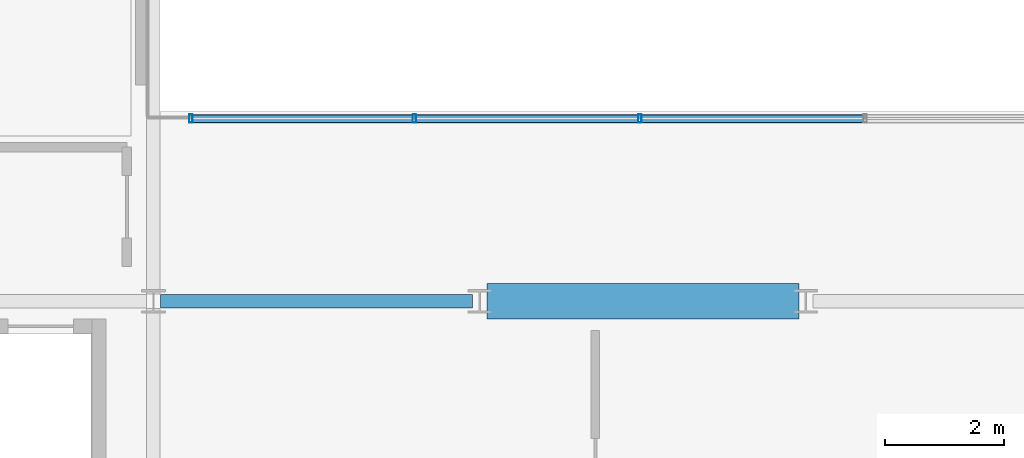
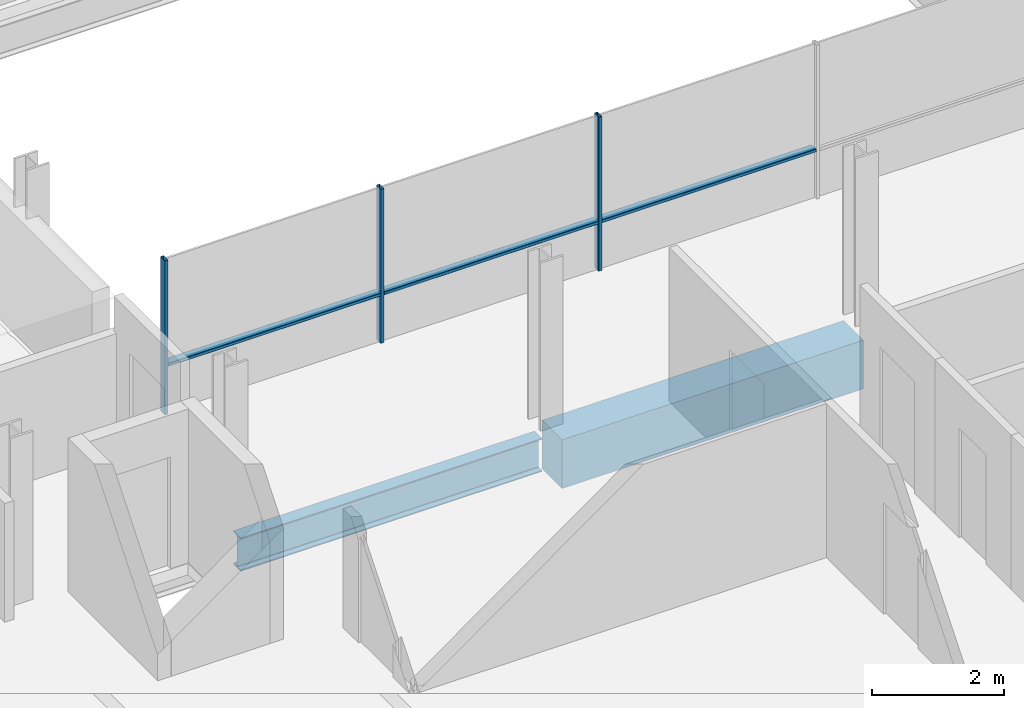
# One storey, part 5 of 36: 6 members, 2 beams, 1 element without a shape of its own.
"""IFC4 building model written with IfcOpenShell, lengths in metres."""

import ifcopenshell
import ifcopenshell.guid

model = None  # the IFC model being written
_history = None  # IfcOwnerHistory: only IFC2X3 demands one
_inside = {}  # id of a spatial element -> (the spatial element, [elements in it])
_under = {}  # id of a project, library or spatial element -> (it, [spatial elements below it])
_declared = {}  # id of a project -> (the project, [libraries it declares])
_typed = {}  # id of a type object -> (the type object, [elements of that type])
_made_of = {}  # id of a material, layer set ... -> (it, [elements and type objects made of it])


def new_model(schema):
    """Start an empty IFC model of exactly this schema.

    Asked for "IFC4X3", IfcOpenShell would pick the latest addendum, in which some entities
    have other attributes; the version numbers below select the first issue.
    IFC2X3 requires an IfcOwnerHistory on every rooted entity: one is made here for all.
    """
    global model, _history
    if schema == "IFC4X3":
        model = ifcopenshell.file(schema_version=(4, 3, 0, 0))
    else:
        model = ifcopenshell.file(schema=schema)
    _inside.clear()
    _under.clear()
    _declared.clear()
    _typed.clear()
    _made_of.clear()
    _history = None
    if model.schema == "IFC2X3":
        org = make("IfcOrganization", Name="unknown")
        user = make(
            "IfcPersonAndOrganization",
            ThePerson=make("IfcPerson", FamilyName="unknown"),
            TheOrganization=org,
        )
        app = make(
            "IfcApplication",
            ApplicationDeveloper=org,
            Version="unknown",
            ApplicationFullName="unknown",
            ApplicationIdentifier="unknown",
        )
        _history = make(
            "IfcOwnerHistory",
            OwningUser=user,
            OwningApplication=app,
            ChangeAction="ADDED",
            CreationDate=0,
        )
    return model


def make(cls, **values):
    """One entity of the class cls with the attributes given. An attribute that is None is left unset."""
    return model.create_entity(
        cls, **{name: value for name, value in values.items() if value is not None}
    )


def rooted(cls, **values):
    """An entity with a GlobalId (a new one), such as an element, a storey or a relation."""
    return make(cls, GlobalId=ifcopenshell.guid.new(), OwnerHistory=_history, **values)


def si_unit(unit_type, name, prefix=None):
    """IfcSIUnit, for example si_unit("LENGTHUNIT", "METRE", prefix="MILLI")."""
    return make("IfcSIUnit", UnitType=unit_type, Prefix=prefix, Name=name)


def assignment(units):
    """IfcUnitAssignment: the units of a project."""
    return None if units is None else make("IfcUnitAssignment", Units=units)


def point(xyz):
    """IfcCartesianPoint."""
    return None if xyz is None else make("IfcCartesianPoint", Coordinates=xyz)


def direction(xyz):
    """IfcDirection."""
    return None if xyz is None else make("IfcDirection", DirectionRatios=xyz)


def frame(location, z_axis=None, x_axis=None):
    """IfcAxis2Placement3D, a coordinate frame: its origin and axes. An axis left out is left unset."""
    return make(
        "IfcAxis2Placement3D",
        Location=point(location),
        Axis=direction(z_axis),
        RefDirection=direction(x_axis),
    )


def frame_2d(location, x_axis=None):
    """IfcAxis2Placement2D, a coordinate frame in the plane: its origin and x axis."""
    return make(
        "IfcAxis2Placement2D", Location=point(location), RefDirection=direction(x_axis)
    )


def origin():
    """The frame at (0, 0, 0) with its axes left unset."""
    return frame((0.0, 0.0, 0.0))


def origin_2d():
    """The frame at (0, 0) in the plane with its x axis left unset."""
    return frame_2d((0.0, 0.0))


def place(relative_to, where):
    """IfcLocalPlacement: puts the frame where relative to a parent placement (None: the world)."""
    return make(
        "IfcLocalPlacement", PlacementRelTo=relative_to, RelativePlacement=where
    )


def context(
    kind, dimensions, precision=None, world=None, true_north=None, identifier=None
):
    """IfcGeometricRepresentationContext, for example the 3D "Model" context."""
    return make(
        "IfcGeometricRepresentationContext",
        ContextIdentifier=identifier,
        ContextType=kind,
        CoordinateSpaceDimension=dimensions,
        Precision=precision,
        WorldCoordinateSystem=world,
        TrueNorth=true_north,
    )


def subcontext(parent, identifier, kind, view, scale=None):
    """IfcGeometricRepresentationSubContext, for example "Body" below "Model"."""
    return make(
        "IfcGeometricRepresentationSubContext",
        ContextIdentifier=identifier,
        ContextType=kind,
        ParentContext=parent,
        TargetScale=scale,
        TargetView=view,
    )


def project(units=None, contexts=None):
    """IfcProject with its units and contexts."""
    return rooted(
        "IfcProject",
        Name="project",
        RepresentationContexts=contexts,
        UnitsInContext=assignment(units),
    )


def spatial(cls, under=None, at=None, **own):
    """A site, building, storey or space (cls), placed at a placement, below another one or the project."""
    s = rooted(cls, ObjectPlacement=at, **own)
    if under is not None:
        _under.setdefault(under.id(), (under, []))[1].append(s)
    return s


def profile(cls, at=None, kind="AREA", **sizes):
    """A parametric profile (cls). Its sizes go by their IFC names, for example OverallWidth=200.0."""
    return make(cls, ProfileType=kind, Position=at, **sizes)


def rectangle(**sizes):
    """IfcRectangleProfileDef."""
    return profile("IfcRectangleProfileDef", **sizes)


def hollow_rectangle(**sizes):
    """IfcRectangleHollowProfileDef."""
    return profile("IfcRectangleHollowProfileDef", **sizes)


def i_section(**sizes):
    """IfcIShapeProfileDef."""
    return profile("IfcIShapeProfileDef", **sizes)


def extrude(swept, where, along, depth):
    """IfcExtrudedAreaSolid: the profile swept, set in the frame where, extruded along a direction by depth."""
    return make(
        "IfcExtrudedAreaSolid",
        SweptArea=swept,
        Position=where,
        ExtrudedDirection=direction(along),
        Depth=depth,
    )


def shape(context_of_items, identifier, shape_type, items):
    """IfcShapeRepresentation: the items that make up one representation, for example the "Body"."""
    return make(
        "IfcShapeRepresentation",
        ContextOfItems=context_of_items,
        RepresentationIdentifier=identifier,
        RepresentationType=shape_type,
        Items=items,
    )


def material(Name=None, Category=None):
    """IfcMaterial."""
    return make("IfcMaterial", Name=Name, Category=Category)


def layer(
    of_material, thickness, ventilated=None, Name=None, Category=None, Priority=None
):
    """IfcMaterialLayer: one layer of a wall or slab, of a material (None: an air gap)."""
    return make(
        "IfcMaterialLayer",
        Material=of_material,
        LayerThickness=thickness,
        IsVentilated=ventilated,
        Name=Name,
        Category=Category,
        Priority=Priority,
    )


def layer_set(layers, Name=None):
    """IfcMaterialLayerSet."""
    return make("IfcMaterialLayerSet", MaterialLayers=layers, LayerSetName=Name)


def material_profile(
    of_material, cross_section, Name=None, Category=None, Priority=None
):
    """IfcMaterialProfile: a cross section and its material."""
    return make(
        "IfcMaterialProfile",
        Name=Name,
        Material=of_material,
        Profile=cross_section,
        Priority=Priority,
        Category=Category,
    )


def profile_set(profiles, Name=None, composite=None):
    """IfcMaterialProfileSet."""
    return make(
        "IfcMaterialProfileSet",
        Name=Name,
        MaterialProfiles=profiles,
        CompositeProfile=composite,
    )


def made_of(thing, what):
    """Note that an element or type object is made of a material, layer set ...; save() writes the relation."""
    if what is not None:
        _made_of.setdefault(what.id(), (what, []))[1].append(thing)
    return thing


def type_object(cls, material=None, **own):
    """A type object (cls), such as IfcWallType, which elements share."""
    return made_of(rooted(cls, **own), material)


def element(
    cls,
    number,
    at=None,
    inside=None,
    cuts=None,
    type_object=None,
    material=None,
    context=None,
    identifier="Body",
    shape_type=None,
    held_by="IfcProductDefinitionShape",
    body=None,
    shapes=None,
    **own,
):
    """One element of the class cls, such as IfcWall. Its Tag is "e" and its number.

    at: its placement. inside: the storey or other place that contains it. cuts: it is an
    opening in that element (IfcRelVoidsElement). A single representation is given by context,
    identifier, shape_type and body (its items); several are given by shapes. held_by: the class
    of the entity that holds the representations. save() writes the other relations.
    """
    e = rooted(cls, Tag="e%d" % number, ObjectPlacement=at, **own)
    if body is not None:
        shapes = [shape(context, identifier, shape_type, body)]
    if shapes is not None:
        e.Representation = make(held_by, Representations=shapes)
    if inside is not None:
        _inside.setdefault(inside.id(), (inside, []))[1].append(e)
    if cuts is not None:
        rooted(
            "IfcRelVoidsElement", RelatingBuildingElement=cuts, RelatedOpeningElement=e
        )
    if type_object is not None:
        _typed.setdefault(type_object.id(), (type_object, []))[1].append(e)
    return made_of(e, material)


def aggregate(whole, parts):
    """IfcRelAggregates: a whole, such as a stair, and the parts it consists of."""
    return rooted("IfcRelAggregates", RelatingObject=whole, RelatedObjects=parts)


def save(model, path):
    """Write the relations noted so far, then the file.

    IfcRelAggregates (storeys below a building ...), IfcRelContainedInSpatialStructure (elements
    in a storey), IfcRelDefinesByType, IfcRelAssociatesMaterial and IfcRelDeclares: one each for
    every whole, place, type object, material and project.
    """
    for whole, parts in _under.values():
        aggregate(whole, parts)
    for where, things in _inside.values():
        rooted(
            "IfcRelContainedInSpatialStructure",
            RelatedElements=things,
            RelatingStructure=where,
        )
    for kind, things in _typed.values():
        rooted("IfcRelDefinesByType", RelatedObjects=things, RelatingType=kind)
    for what, things in _made_of.values():
        rooted("IfcRelAssociatesMaterial", RelatedObjects=things, RelatingMaterial=what)
    for by, libraries in _declared.values():
        rooted("IfcRelDeclares", RelatingContext=by, RelatedDefinitions=libraries)
    model.write(path)


model = new_model("IFC4")

# Units and contexts
model_context = context("Model", 3, precision=1e-05, world=origin(), true_north=direction((0.0, 1.0)))
body_context = subcontext(model_context, "Body", "Model", "MODEL_VIEW")
ifc_project = project(units=[si_unit("LENGTHUNIT", "METRE"), si_unit("AREAUNIT", "SQUARE_METRE"), si_unit("VOLUMEUNIT", "CUBIC_METRE"), si_unit("PLANEANGLEUNIT", "RADIAN"), si_unit("MASSUNIT", "GRAM", prefix="KILO")], contexts=[model_context])

# Site, building, storey
site_placement = place(None, origin())
site = spatial("IfcSite", under=ifc_project, at=site_placement, CompositionType="ELEMENT")
building_placement = place(site_placement, origin())
building = spatial("IfcBuilding", under=site, at=building_placement, Name="Brevholm Reach", CompositionType="ELEMENT")
storey_placement = place(building_placement, frame((0.0, 0.0, 175.89990234375)))
storey = spatial("IfcBuildingStorey", under=building, at=storey_placement, Name="L53", CompositionType="ELEMENT", Elevation=175.89990234375)

# Beams
ifc_material_1 = material(Name="Concrete C50/60", Category="concrete")
ifc_material_profile_1 = material_profile(ifc_material_1, rectangle(XDim=0.60009765625, YDim=0.89990234375, at=origin_2d()), Name="RC 600x900")
ifc_profile_set_1 = profile_set([ifc_material_profile_1], Name="Concrete C50/60")
beam_type_1 = type_object("IfcBeamType", Name="BM-CB600", PredefinedType="LINTEL", material=ifc_profile_set_1)
beam_1_placement = place(storey_placement, frame((27.3701171875, 10.0, -0.659912109375), z_axis=(1.0, 0.0, 0.0), x_axis=(0.0, 1.0, 0.0)))
element("IfcBeam", 1, at=beam_1_placement, inside=storey, type_object=beam_type_1, Name="L53 CB-02 Framing Beam", PredefinedType="LINTEL", context=body_context, shape_type="SweptSolid", body=[
    extrude(rectangle(XDim=0.60009765625, YDim=0.89990234375, at=origin_2d()), origin(), (0.0, 0.0, 1.0), 5.259765625),
])
ifc_material_2 = material(Name="Structural Steel S355J2", Category="steel")
ifc_material_profile_2 = material_profile(ifc_material_2, i_section(OverallWidth=0.22900390625, OverallDepth=0.6123046875, WebThickness=0.011962890625, FlangeThickness=0.01953125, FilletRadius=0.0126953125, at=origin_2d()), Name="UKB 610x229x125")
ifc_profile_set_2 = profile_set([ifc_material_profile_2], Name="Structural Steel S355J2")
beam_type_2 = type_object("IfcBeamType", Name="BM-SP610", PredefinedType="SPANDREL", material=ifc_profile_set_2)
beam_2_placement = place(storey_placement, frame((21.8701171875, 10.0, -0.51611328125), z_axis=(1.0, 0.0, 0.0), x_axis=(0.0, 1.0, 0.0)))
element("IfcBeam", 2, at=beam_2_placement, inside=storey, type_object=beam_type_2, Name="L53 SP-01 Framing Beam", PredefinedType="SPANDREL", context=body_context, shape_type="SweptSolid", body=[
    extrude(i_section(OverallWidth=0.22900390625, OverallDepth=0.6123046875, WebThickness=0.011962890625, FlangeThickness=0.01953125, FilletRadius=0.0126953125, at=origin_2d()), origin(), (0.0, 0.0, 1.0), 5.259765625),
])

# Curtain wall, members
ifc_material_3 = material(Name="Dark Anodised Aluminium 6063-T6 and Solar-Control Glass", Category="aluminium")
ifc_layer = layer(ifc_material_3, 0.139892578125)
ifc_layer_set = layer_set([ifc_layer], Name="Dark Anodised Aluminium 6063-T6 and Solar-Control Glass")
curtain_wall_type = type_object("IfcCurtainWallType", Name="CW-02", PredefinedType="NOTDEFINED", material=ifc_layer_set)
curtain_wall_placement = place(storey_placement, origin())
curtain_wall = element("IfcCurtainWall", 3, at=curtain_wall_placement, inside=storey, type_object=curtain_wall_type, Name="L53 Curtain Wall CW-02", PredefinedType="NOTDEFINED")
ifc_material_4 = material(Name="Dark Anodised Aluminium 6063-T6", Category="aluminium")
ifc_material_profile_3 = material_profile(ifc_material_4, hollow_rectangle(XDim=0.06005859375, YDim=0.139892578125, WallThickness=0.0048828125, InnerFilletRadius=0.0048828125, OuterFilletRadius=0.010009765625, at=origin_2d()), Name="RHS 140x60x5")
ifc_profile_set_3 = profile_set([ifc_material_profile_3], Name="Dark Anodised Aluminium 6063-T6")
member_type_1 = type_object("IfcMemberType", Name="CWM-140", PredefinedType="MULLION", material=ifc_profile_set_3)
member_1_placement = place(storey_placement, frame((22.3798828125, 13.080078125, 0.0), z_axis=(0.0, 0.0, 1.0), x_axis=(1.0, 0.0, 0.0)))
member_1 = element("IfcMember", 4, at=member_1_placement, type_object=member_type_1, Name="CM-140 Mullion 1", PredefinedType="MULLION", context=body_context, shape_type="SweptSolid", body=[
    extrude(hollow_rectangle(XDim=0.06005859375, YDim=0.139892578125, WallThickness=0.0048828125, InnerFilletRadius=0.0048828125, OuterFilletRadius=0.010009765625, at=origin_2d()), origin(), (0.0, 0.0, 1.0), 2.840087890625),
])
member_2_placement = place(storey_placement, frame((26.14990234375, 13.080078125, 0.0), z_axis=(0.0, 0.0, 1.0), x_axis=(1.0, 0.0, 0.0)))
member_2 = element("IfcMember", 5, at=member_2_placement, type_object=member_type_1, Name="CM-140 Mullion 2", PredefinedType="MULLION", context=body_context, shape_type="SweptSolid", body=[
    extrude(hollow_rectangle(XDim=0.06005859375, YDim=0.139892578125, WallThickness=0.0048828125, InnerFilletRadius=0.0048828125, OuterFilletRadius=0.010009765625, at=origin_2d()), origin(), (0.0, 0.0, 1.0), 2.840087890625),
])
member_3_placement = place(storey_placement, frame((29.949951171875, 13.080078125, 0.0), z_axis=(0.0, 0.0, 1.0), x_axis=(1.0, 0.0, 0.0)))
member_3 = element("IfcMember", 6, at=member_3_placement, type_object=member_type_1, Name="CM-140 Mullion 3", PredefinedType="MULLION", context=body_context, shape_type="SweptSolid", body=[
    extrude(hollow_rectangle(XDim=0.06005859375, YDim=0.139892578125, WallThickness=0.0048828125, InnerFilletRadius=0.0048828125, OuterFilletRadius=0.010009765625, at=origin_2d()), origin(), (0.0, 0.0, 1.0), 2.840087890625),
])
ifc_material_5 = material(Name="Dark Anodised Aluminium 6063-T6", Category="aluminium")
ifc_material_profile_4 = material_profile(ifc_material_5, hollow_rectangle(XDim=0.06005859375, YDim=0.139892578125, WallThickness=0.0048828125, InnerFilletRadius=0.0048828125, OuterFilletRadius=0.010009765625, at=origin_2d()), Name="RHS 140x60x5")
ifc_profile_set_4 = profile_set([ifc_material_profile_4], Name="Dark Anodised Aluminium 6063-T6")
member_type_2 = type_object("IfcMemberType", Name="CWT-140", PredefinedType="NOTDEFINED", material=ifc_profile_set_4)
member_4_placement = place(storey_placement, frame((22.409912109375, 13.080078125, 0.900146484375), z_axis=(1.0, 0.0, 0.0), x_axis=(0.0, 0.0, 1.0)))
member_4 = element("IfcMember", 7, at=member_4_placement, type_object=member_type_2, Name="CT-140 Transom 1.1", ObjectType="TRANSOM", PredefinedType="USERDEFINED", context=body_context, shape_type="SweptSolid", body=[
    extrude(hollow_rectangle(XDim=0.06005859375, YDim=0.139892578125, WallThickness=0.0048828125, InnerFilletRadius=0.0048828125, OuterFilletRadius=0.010009765625, at=origin_2d()), origin(), (0.0, 0.0, 1.0), 3.710205078125),
])
member_5_placement = place(storey_placement, frame((26.179931640625, 13.080078125, 0.900146484375), z_axis=(1.0, 0.0, 0.0), x_axis=(0.0, 0.0, 1.0)))
member_5 = element("IfcMember", 8, at=member_5_placement, type_object=member_type_2, Name="CT-140 Transom 2.1", ObjectType="TRANSOM", PredefinedType="USERDEFINED", context=body_context, shape_type="SweptSolid", body=[
    extrude(hollow_rectangle(XDim=0.06005859375, YDim=0.139892578125, WallThickness=0.0048828125, InnerFilletRadius=0.0048828125, OuterFilletRadius=0.010009765625, at=origin_2d()), origin(), (0.0, 0.0, 1.0), 3.739990234375),
])
member_6_placement = place(storey_placement, frame((29.97998046875, 13.080078125, 0.900146484375), z_axis=(1.0, 0.0, 0.0), x_axis=(0.0, 0.0, 1.0)))
member_6 = element("IfcMember", 9, at=member_6_placement, type_object=member_type_2, Name="CT-140 Transom 3.1", ObjectType="TRANSOM", PredefinedType="USERDEFINED", context=body_context, shape_type="SweptSolid", body=[
    extrude(hollow_rectangle(XDim=0.06005859375, YDim=0.139892578125, WallThickness=0.0048828125, InnerFilletRadius=0.0048828125, OuterFilletRadius=0.010009765625, at=origin_2d()), origin(), (0.0, 0.0, 1.0), 3.739990234375),
])
aggregate(curtain_wall, [member_1, member_2, member_3, member_4, member_5, member_6])

save(model, "model.ifc")
